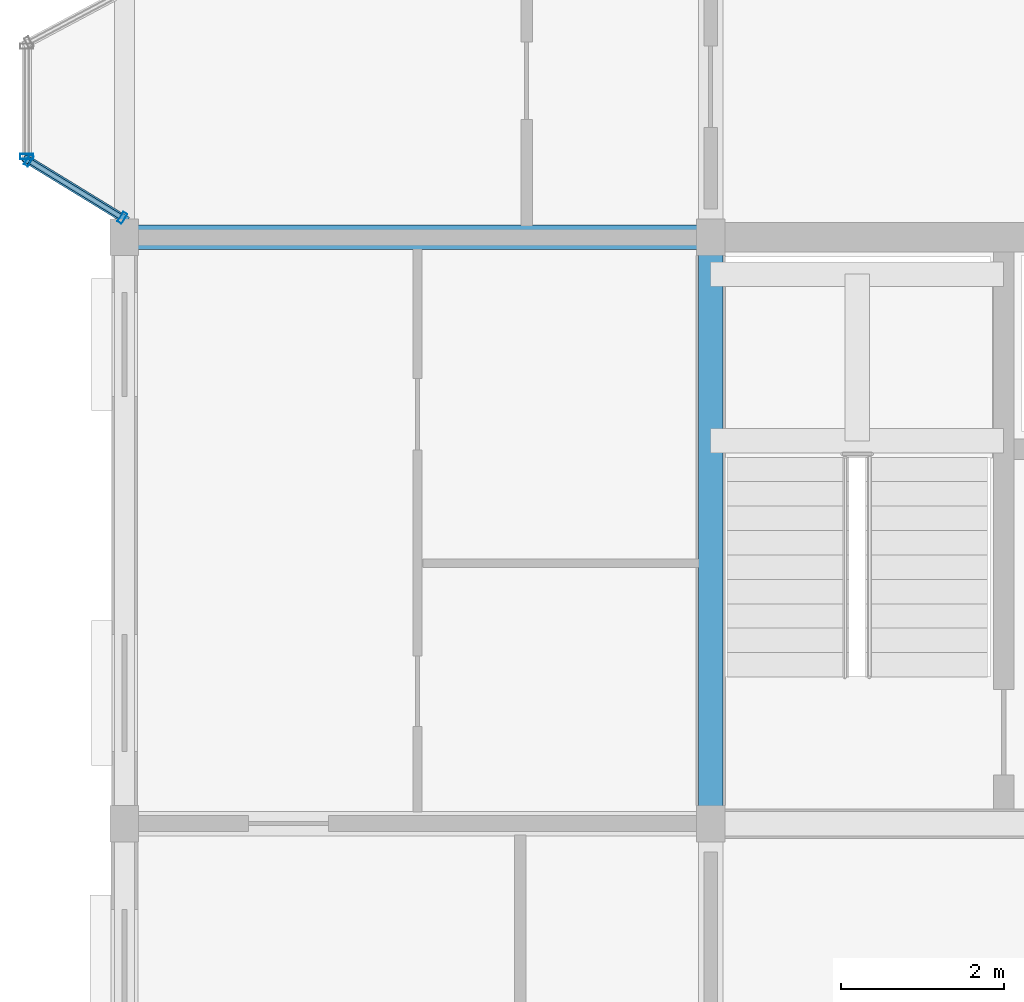
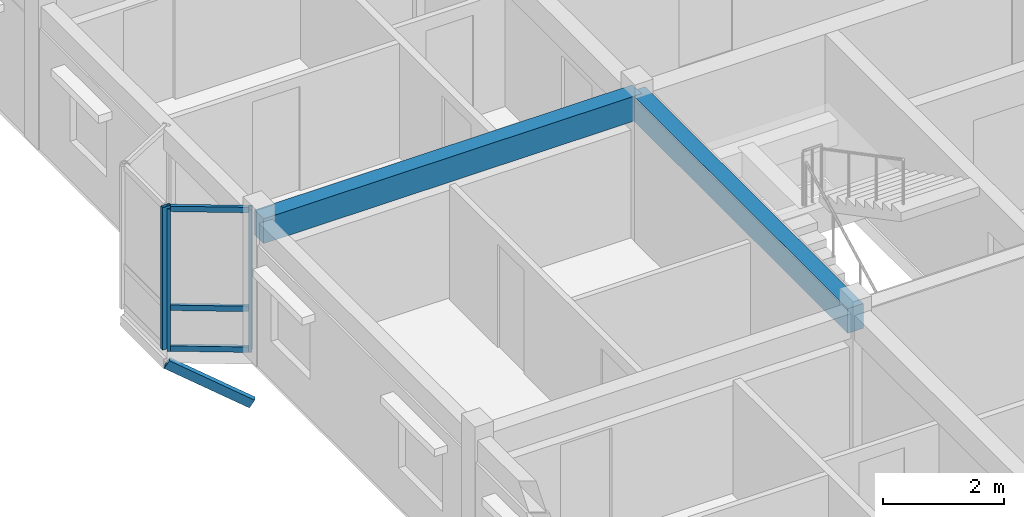
# One storey, part 4 of 22: 7 members, 2 beams, 2 elements without a shape of their own.
"""IFC4 building model written with IfcOpenShell, lengths in metres."""

import ifcopenshell
import ifcopenshell.guid

model = None  # the IFC model being written
_history = None  # IfcOwnerHistory: only IFC2X3 demands one
_inside = {}  # id of a spatial element -> (the spatial element, [elements in it])
_under = {}  # id of a project, library or spatial element -> (it, [spatial elements below it])
_declared = {}  # id of a project -> (the project, [libraries it declares])
_typed = {}  # id of a type object -> (the type object, [elements of that type])
_made_of = {}  # id of a material, layer set ... -> (it, [elements and type objects made of it])


def new_model(schema):
    """Start an empty IFC model of exactly this schema.

    Asked for "IFC4X3", IfcOpenShell would pick the latest addendum, in which some entities
    have other attributes; the version numbers below select the first issue.
    IFC2X3 requires an IfcOwnerHistory on every rooted entity: one is made here for all.
    """
    global model, _history
    if schema == "IFC4X3":
        model = ifcopenshell.file(schema_version=(4, 3, 0, 0))
    else:
        model = ifcopenshell.file(schema=schema)
    _inside.clear()
    _under.clear()
    _declared.clear()
    _typed.clear()
    _made_of.clear()
    _history = None
    if model.schema == "IFC2X3":
        org = make("IfcOrganization", Name="unknown")
        user = make(
            "IfcPersonAndOrganization",
            ThePerson=make("IfcPerson", FamilyName="unknown"),
            TheOrganization=org,
        )
        app = make(
            "IfcApplication",
            ApplicationDeveloper=org,
            Version="unknown",
            ApplicationFullName="unknown",
            ApplicationIdentifier="unknown",
        )
        _history = make(
            "IfcOwnerHistory",
            OwningUser=user,
            OwningApplication=app,
            ChangeAction="ADDED",
            CreationDate=0,
        )
    return model


def make(cls, **values):
    """One entity of the class cls with the attributes given. An attribute that is None is left unset."""
    return model.create_entity(
        cls, **{name: value for name, value in values.items() if value is not None}
    )


def rooted(cls, **values):
    """An entity with a GlobalId (a new one), such as an element, a storey or a relation."""
    return make(cls, GlobalId=ifcopenshell.guid.new(), OwnerHistory=_history, **values)


def si_unit(unit_type, name, prefix=None):
    """IfcSIUnit, for example si_unit("LENGTHUNIT", "METRE", prefix="MILLI")."""
    return make("IfcSIUnit", UnitType=unit_type, Prefix=prefix, Name=name)


def assignment(units):
    """IfcUnitAssignment: the units of a project."""
    return None if units is None else make("IfcUnitAssignment", Units=units)


def point(xyz):
    """IfcCartesianPoint."""
    return None if xyz is None else make("IfcCartesianPoint", Coordinates=xyz)


def direction(xyz):
    """IfcDirection."""
    return None if xyz is None else make("IfcDirection", DirectionRatios=xyz)


def frame(location, z_axis=None, x_axis=None):
    """IfcAxis2Placement3D, a coordinate frame: its origin and axes. An axis left out is left unset."""
    return make(
        "IfcAxis2Placement3D",
        Location=point(location),
        Axis=direction(z_axis),
        RefDirection=direction(x_axis),
    )


def frame_2d(location, x_axis=None):
    """IfcAxis2Placement2D, a coordinate frame in the plane: its origin and x axis."""
    return make(
        "IfcAxis2Placement2D", Location=point(location), RefDirection=direction(x_axis)
    )


def origin():
    """The frame at (0, 0, 0) with its axes left unset."""
    return frame((0.0, 0.0, 0.0))


def origin_2d():
    """The frame at (0, 0) in the plane with its x axis left unset."""
    return frame_2d((0.0, 0.0))


def place(relative_to, where):
    """IfcLocalPlacement: puts the frame where relative to a parent placement (None: the world)."""
    return make(
        "IfcLocalPlacement", PlacementRelTo=relative_to, RelativePlacement=where
    )


def context(
    kind, dimensions, precision=None, world=None, true_north=None, identifier=None
):
    """IfcGeometricRepresentationContext, for example the 3D "Model" context."""
    return make(
        "IfcGeometricRepresentationContext",
        ContextIdentifier=identifier,
        ContextType=kind,
        CoordinateSpaceDimension=dimensions,
        Precision=precision,
        WorldCoordinateSystem=world,
        TrueNorth=true_north,
    )


def subcontext(parent, identifier, kind, view, scale=None):
    """IfcGeometricRepresentationSubContext, for example "Body" below "Model"."""
    return make(
        "IfcGeometricRepresentationSubContext",
        ContextIdentifier=identifier,
        ContextType=kind,
        ParentContext=parent,
        TargetScale=scale,
        TargetView=view,
    )


def project(units=None, contexts=None):
    """IfcProject with its units and contexts."""
    return rooted(
        "IfcProject",
        Name="project",
        RepresentationContexts=contexts,
        UnitsInContext=assignment(units),
    )


def spatial(cls, under=None, at=None, **own):
    """A site, building, storey or space (cls), placed at a placement, below another one or the project."""
    s = rooted(cls, ObjectPlacement=at, **own)
    if under is not None:
        _under.setdefault(under.id(), (under, []))[1].append(s)
    return s


def profile(cls, at=None, kind="AREA", **sizes):
    """A parametric profile (cls). Its sizes go by their IFC names, for example OverallWidth=200.0."""
    return make(cls, ProfileType=kind, Position=at, **sizes)


def rectangle(**sizes):
    """IfcRectangleProfileDef."""
    return profile("IfcRectangleProfileDef", **sizes)


def hollow_rectangle(**sizes):
    """IfcRectangleHollowProfileDef."""
    return profile("IfcRectangleHollowProfileDef", **sizes)


def extrude(swept, where, along, depth):
    """IfcExtrudedAreaSolid: the profile swept, set in the frame where, extruded along a direction by depth."""
    return make(
        "IfcExtrudedAreaSolid",
        SweptArea=swept,
        Position=where,
        ExtrudedDirection=direction(along),
        Depth=depth,
    )


def shape(context_of_items, identifier, shape_type, items):
    """IfcShapeRepresentation: the items that make up one representation, for example the "Body"."""
    return make(
        "IfcShapeRepresentation",
        ContextOfItems=context_of_items,
        RepresentationIdentifier=identifier,
        RepresentationType=shape_type,
        Items=items,
    )


def material(Name=None, Category=None):
    """IfcMaterial."""
    return make("IfcMaterial", Name=Name, Category=Category)


def layer(
    of_material, thickness, ventilated=None, Name=None, Category=None, Priority=None
):
    """IfcMaterialLayer: one layer of a wall or slab, of a material (None: an air gap)."""
    return make(
        "IfcMaterialLayer",
        Material=of_material,
        LayerThickness=thickness,
        IsVentilated=ventilated,
        Name=Name,
        Category=Category,
        Priority=Priority,
    )


def layer_set(layers, Name=None):
    """IfcMaterialLayerSet."""
    return make("IfcMaterialLayerSet", MaterialLayers=layers, LayerSetName=Name)


def material_profile(
    of_material, cross_section, Name=None, Category=None, Priority=None
):
    """IfcMaterialProfile: a cross section and its material."""
    return make(
        "IfcMaterialProfile",
        Name=Name,
        Material=of_material,
        Profile=cross_section,
        Priority=Priority,
        Category=Category,
    )


def profile_set(profiles, Name=None, composite=None):
    """IfcMaterialProfileSet."""
    return make(
        "IfcMaterialProfileSet",
        Name=Name,
        MaterialProfiles=profiles,
        CompositeProfile=composite,
    )


def made_of(thing, what):
    """Note that an element or type object is made of a material, layer set ...; save() writes the relation."""
    if what is not None:
        _made_of.setdefault(what.id(), (what, []))[1].append(thing)
    return thing


def type_object(cls, material=None, **own):
    """A type object (cls), such as IfcWallType, which elements share."""
    return made_of(rooted(cls, **own), material)


def element(
    cls,
    number,
    at=None,
    inside=None,
    cuts=None,
    type_object=None,
    material=None,
    context=None,
    identifier="Body",
    shape_type=None,
    held_by="IfcProductDefinitionShape",
    body=None,
    shapes=None,
    **own,
):
    """One element of the class cls, such as IfcWall. Its Tag is "e" and its number.

    at: its placement. inside: the storey or other place that contains it. cuts: it is an
    opening in that element (IfcRelVoidsElement). A single representation is given by context,
    identifier, shape_type and body (its items); several are given by shapes. held_by: the class
    of the entity that holds the representations. save() writes the other relations.
    """
    e = rooted(cls, Tag="e%d" % number, ObjectPlacement=at, **own)
    if body is not None:
        shapes = [shape(context, identifier, shape_type, body)]
    if shapes is not None:
        e.Representation = make(held_by, Representations=shapes)
    if inside is not None:
        _inside.setdefault(inside.id(), (inside, []))[1].append(e)
    if cuts is not None:
        rooted(
            "IfcRelVoidsElement", RelatingBuildingElement=cuts, RelatedOpeningElement=e
        )
    if type_object is not None:
        _typed.setdefault(type_object.id(), (type_object, []))[1].append(e)
    return made_of(e, material)


def aggregate(whole, parts):
    """IfcRelAggregates: a whole, such as a stair, and the parts it consists of."""
    return rooted("IfcRelAggregates", RelatingObject=whole, RelatedObjects=parts)


def save(model, path):
    """Write the relations noted so far, then the file.

    IfcRelAggregates (storeys below a building ...), IfcRelContainedInSpatialStructure (elements
    in a storey), IfcRelDefinesByType, IfcRelAssociatesMaterial and IfcRelDeclares: one each for
    every whole, place, type object, material and project.
    """
    for whole, parts in _under.values():
        aggregate(whole, parts)
    for where, things in _inside.values():
        rooted(
            "IfcRelContainedInSpatialStructure",
            RelatedElements=things,
            RelatingStructure=where,
        )
    for kind, things in _typed.values():
        rooted("IfcRelDefinesByType", RelatedObjects=things, RelatingType=kind)
    for what, things in _made_of.values():
        rooted("IfcRelAssociatesMaterial", RelatedObjects=things, RelatingMaterial=what)
    for by, libraries in _declared.values():
        rooted("IfcRelDeclares", RelatingContext=by, RelatedDefinitions=libraries)
    model.write(path)


model = new_model("IFC4")

# Units and contexts
model_context = context("Model", 3, precision=1e-05, world=origin(), true_north=direction((0.0, 1.0)))
body_context = subcontext(model_context, "Body", "Model", "MODEL_VIEW")
ifc_project = project(units=[si_unit("LENGTHUNIT", "METRE"), si_unit("AREAUNIT", "SQUARE_METRE"), si_unit("VOLUMEUNIT", "CUBIC_METRE"), si_unit("PLANEANGLEUNIT", "RADIAN"), si_unit("MASSUNIT", "GRAM", prefix="KILO"), si_unit("THERMODYNAMICTEMPERATUREUNIT", "KELVIN"), si_unit("POWERUNIT", "WATT")], contexts=[model_context])

# Site, building, storey
site_placement = place(None, origin())
site = spatial("IfcSite", under=ifc_project, at=site_placement, CompositionType="ELEMENT")
building_placement = place(site_placement, origin())
building = spatial("IfcBuilding", under=site, at=building_placement, Name="Tavuni Mirador Residences", CompositionType="ELEMENT")
storey_placement = place(building_placement, frame((0.0, 0.0, 45.449951171875)))
storey = spatial("IfcBuildingStorey", under=building, at=storey_placement, Name="L14", CompositionType="ELEMENT", Elevation=45.449951171875)

# Beams
ifc_material_1 = material(Name="Precast concrete C40/50", Category="concrete")
ifc_material_profile_1 = material_profile(ifc_material_1, rectangle(XDim=0.300048828125, YDim=0.5, at=origin_2d()), Name="PC 300x500", Category="concrete")
ifc_profile_set_1 = profile_set([ifc_material_profile_1], Name="Precast concrete C40/50")
beam_type = type_object("IfcBeamType", Name="BT-B500", PredefinedType="BEAM", material=ifc_profile_set_1)
beam_1_placement = place(storey_placement, frame((3.60009765625, 21.60009765625, 2.6201171875), z_axis=(1.0, 0.0, 0.0), x_axis=(0.0, 1.0, 0.0)))
element("IfcBeam", 1, at=beam_1_placement, inside=storey, type_object=beam_type, Name="BMX-BLK-A-L14-00-02", PredefinedType="BEAM", context=body_context, shape_type="SweptSolid", body=[
    extrude(rectangle(XDim=0.300048828125, YDim=0.5, at=origin_2d()), origin(), (0.0, 0.0, 1.0), 7.199951171875),
])
beam_2_placement = place(storey_placement, frame((10.800048828125, 14.39990234375, 2.6201171875), z_axis=(0.0, 1.0, 0.0), x_axis=(-1.0, 0.0, 0.0)))
element("IfcBeam", 2, at=beam_2_placement, inside=storey, type_object=beam_type, Name="BMY-BLK-A-L14-01-01", PredefinedType="BEAM", context=body_context, shape_type="SweptSolid", body=[
    extrude(rectangle(XDim=0.300048828125, YDim=0.5, at=origin_2d()), origin(), (0.0, 0.0, 1.0), 7.2001953125),
])

# Curtain wall, members
ifc_material_2 = material(Name="Anodised aluminium", Category="aluminium")
ifc_layer_1 = layer(ifc_material_2, 0.1650390625, Name="Anodised aluminium", Category="aluminium")
ifc_layer_set_1 = layer_set([ifc_layer_1], Name="Anodised aluminium")
curtain_wall_type_1 = type_object("IfcCurtainWallType", Name="CWT-MIR-A", PredefinedType="NOTDEFINED", material=ifc_layer_set_1)
curtain_wall_1_placement = place(storey_placement, origin())
curtain_wall_1 = element("IfcCurtainWall", 3, at=curtain_wall_1_placement, inside=storey, type_object=curtain_wall_type_1, Name="CW-MIR-A-W2-L14-M2", PredefinedType="NOTDEFINED")
ifc_material_profile_2 = material_profile(ifc_material_2, hollow_rectangle(XDim=0.06005859375, YDim=0.139892578125, WallThickness=0.00390625, at=origin_2d()), Name="ALU 60x140x4.0", Category="aluminium")
ifc_profile_set_2 = profile_set([ifc_material_profile_2], Name="Anodised aluminium")
member_type_1 = type_object("IfcMemberType", Name="CWM-140", PredefinedType="MULLION", material=ifc_profile_set_2)
member_1_placement = place(storey_placement, frame((2.425537109375, 22.54443359375, 0.0), z_axis=(0.0, 0.0, 1.0), x_axis=(0.852754414845, -0.522312079088, 0.0)))
member_1 = element("IfcMember", 4, at=member_1_placement, type_object=member_type_1, Name="CW-01 mullion 1", PredefinedType="MULLION", context=body_context, shape_type="SweptSolid", body=[
    extrude(hollow_rectangle(XDim=0.06005859375, YDim=0.139892578125, WallThickness=0.00390625, at=origin_2d()), origin(), (0.0, 0.0, 1.0), 2.8701171875),
])
member_2_placement = place(storey_placement, frame((3.574462890625, 21.840576171875, 0.0), z_axis=(0.0, 0.0, 1.0), x_axis=(0.852754414845, -0.522312079088, 0.0)))
member_2 = element("IfcMember", 5, at=member_2_placement, type_object=member_type_1, Name="CW-01 mullion 2", PredefinedType="MULLION", context=body_context, shape_type="SweptSolid", body=[
    extrude(hollow_rectangle(XDim=0.06005859375, YDim=0.139892578125, WallThickness=0.00390625, at=origin_2d()), origin(), (0.0, 0.0, 1.0), 2.8701171875),
])

# Curtain wall, member
ifc_layer_2 = layer(ifc_material_2, 0.159912109375, Name="Anodised aluminium", Category="aluminium")
ifc_layer_set_2 = layer_set([ifc_layer_2], Name="Anodised aluminium")
curtain_wall_type_2 = type_object("IfcCurtainWallType", Name="CWT-MIR-D", PredefinedType="NOTDEFINED", material=ifc_layer_set_2)
curtain_wall_2_placement = place(storey_placement, origin())
curtain_wall_2 = element("IfcCurtainWall", 6, at=curtain_wall_2_placement, inside=storey, type_object=curtain_wall_type_2, Name="CW-MIR-A-W2-L14-MF", PredefinedType="NOTDEFINED")
ifc_material_profile_3 = material_profile(ifc_material_2, hollow_rectangle(XDim=0.06494140625, YDim=0.1650390625, WallThickness=0.00439453125, at=origin_2d()), Name="ALU 65x165x4.5", Category="aluminium")
ifc_profile_set_3 = profile_set([ifc_material_profile_3], Name="Anodised aluminium")
member_type_2 = type_object("IfcMemberType", Name="CWM-165", PredefinedType="MULLION", material=ifc_profile_set_3)
member_3_placement = place(storey_placement, frame((2.39990234375, 22.592529296875, 0.0), z_axis=(0.0, 0.0, 1.0), x_axis=(0.0, -1.0, 0.0)))
member_3 = element("IfcMember", 7, at=member_3_placement, type_object=member_type_2, Name="CW-04 mullion 2", PredefinedType="MULLION", context=body_context, shape_type="SweptSolid", body=[
    extrude(hollow_rectangle(XDim=0.06494140625, YDim=0.1650390625, WallThickness=0.00439453125, at=origin_2d()), origin(), (0.0, 0.0, 1.0), 2.8701171875),
])
aggregate(curtain_wall_2, [member_3])

# Member
ifc_material_profile_4 = material_profile(ifc_material_2, hollow_rectangle(XDim=0.06005859375, YDim=0.110107421875, WallThickness=0.00390625, at=origin_2d()), Name="ALU 60x110x4.0", Category="aluminium")
ifc_profile_set_4 = profile_set([ifc_material_profile_4], Name="Anodised aluminium")
member_type_3 = type_object("IfcMemberType", Name="CWT-110", PredefinedType="USERDEFINED", material=ifc_profile_set_4)
member_4_placement = place(storey_placement, frame((2.451171875, 22.528564453125, 0.030029296875), z_axis=(0.85282199672, -0.522201725305, 0.0), x_axis=(0.522201725305, 0.85282199672, 0.0)))
member_4 = element("IfcMember", 8, at=member_4_placement, type_object=member_type_3, Name="CW-01 transom 1.1", ObjectType="TRANSOM", PredefinedType="USERDEFINED", context=body_context, shape_type="SweptSolid", body=[
    extrude(hollow_rectangle(XDim=0.06005859375, YDim=0.110107421875, WallThickness=0.00390625, at=origin_2d()), origin(), (0.0, 0.0, 1.0), 1.287109375),
])

member_5_placement = place(storey_placement, frame((2.451171875, 22.528564453125, 0.85009765625), z_axis=(0.85282199672, -0.522201725305, 0.0), x_axis=(0.522201725305, 0.85282199672, 0.0)))
member_5 = element("IfcMember", 9, at=member_5_placement, type_object=member_type_3, Name="CW-01 transom 1.2", ObjectType="TRANSOM", PredefinedType="USERDEFINED", context=body_context, shape_type="SweptSolid", body=[
    extrude(hollow_rectangle(XDim=0.06005859375, YDim=0.110107421875, WallThickness=0.00390625, at=origin_2d()), origin(), (0.0, 0.0, 1.0), 1.287109375),
])

member_6_placement = place(storey_placement, frame((2.451171875, 22.528564453125, 2.840087890625), z_axis=(0.85282199672, -0.522201725305, 0.0), x_axis=(0.522201725305, 0.85282199672, 0.0)))
member_6 = element("IfcMember", 10, at=member_6_placement, type_object=member_type_3, Name="CW-01 transom 1.3", ObjectType="TRANSOM", PredefinedType="USERDEFINED", context=body_context, shape_type="SweptSolid", body=[
    extrude(hollow_rectangle(XDim=0.06005859375, YDim=0.110107421875, WallThickness=0.00390625, at=origin_2d()), origin(), (0.0, 0.0, 1.0), 1.287109375),
])

aggregate(curtain_wall_1, [member_1, member_2, member_4, member_5, member_6])

ifc_material_3 = material(Name="Structural steel S355", Category="steel")
ifc_material_profile_5 = material_profile(ifc_material_3, hollow_rectangle(XDim=0.10009765625, YDim=0.179931640625, WallThickness=0.008056640625, at=origin_2d()), Name="RHS 180x100x8.0", Category="steel")
ifc_profile_set_5 = profile_set([ifc_material_profile_5], Name="Structural steel S355")
member_type_4 = type_object("IfcMemberType", Name="MT-BR-RHS180", PredefinedType="BRACE", material=ifc_profile_set_5)
member_7_placement = place(storey_placement, frame((3.60009765625, 21.824951171875, -1.050048828125), z_axis=(-0.748111041241, 0.45821040382, 0.479971973978), x_axis=(-0.522305771944, -0.852758277939, 0.0)))
element("IfcMember", 11, at=member_7_placement, inside=storey, type_object=member_type_4, Name="MBRK-MIR-A-W2-L14-1", PredefinedType="BRACE", context=body_context, shape_type="SweptSolid", body=[
    extrude(hollow_rectangle(XDim=0.10009765625, YDim=0.179931640625, WallThickness=0.008056640625, at=origin_2d()), origin(), (0.0, 0.0, 1.0), 1.604248046875),
])

save(model, "model.ifc")
